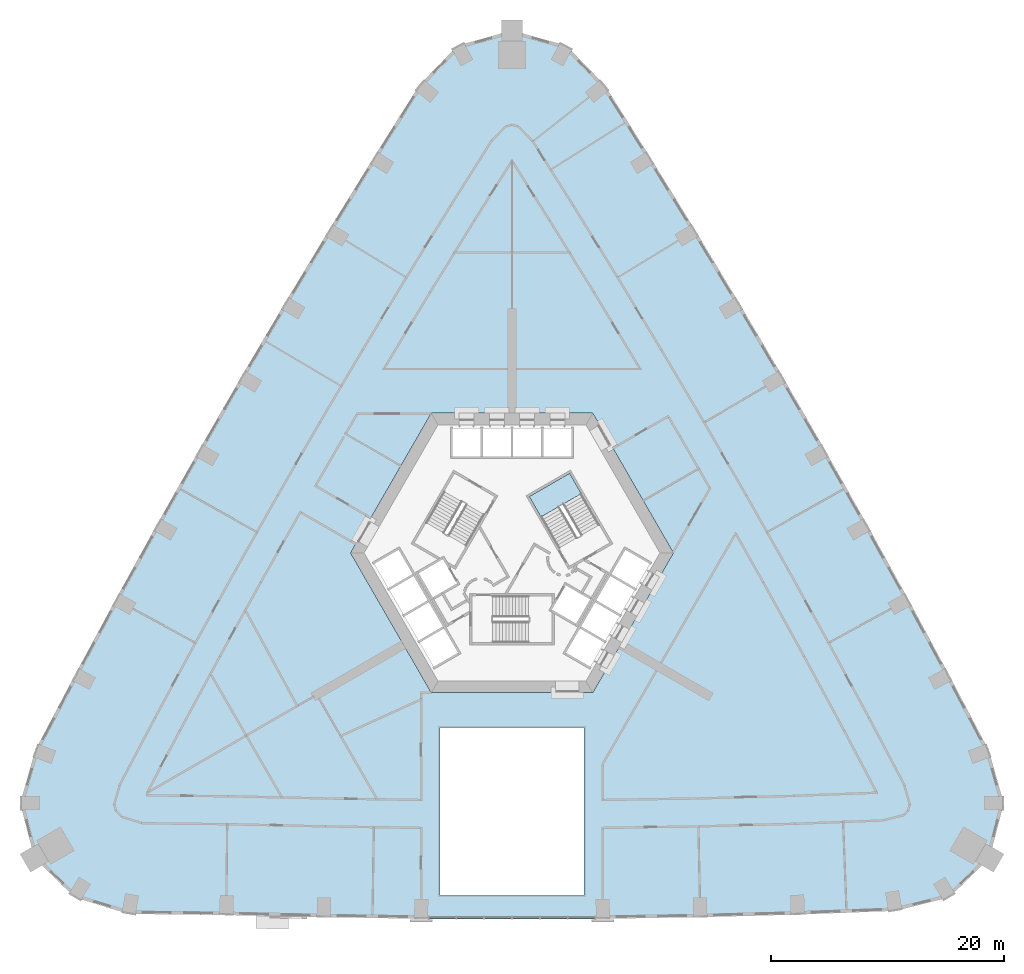
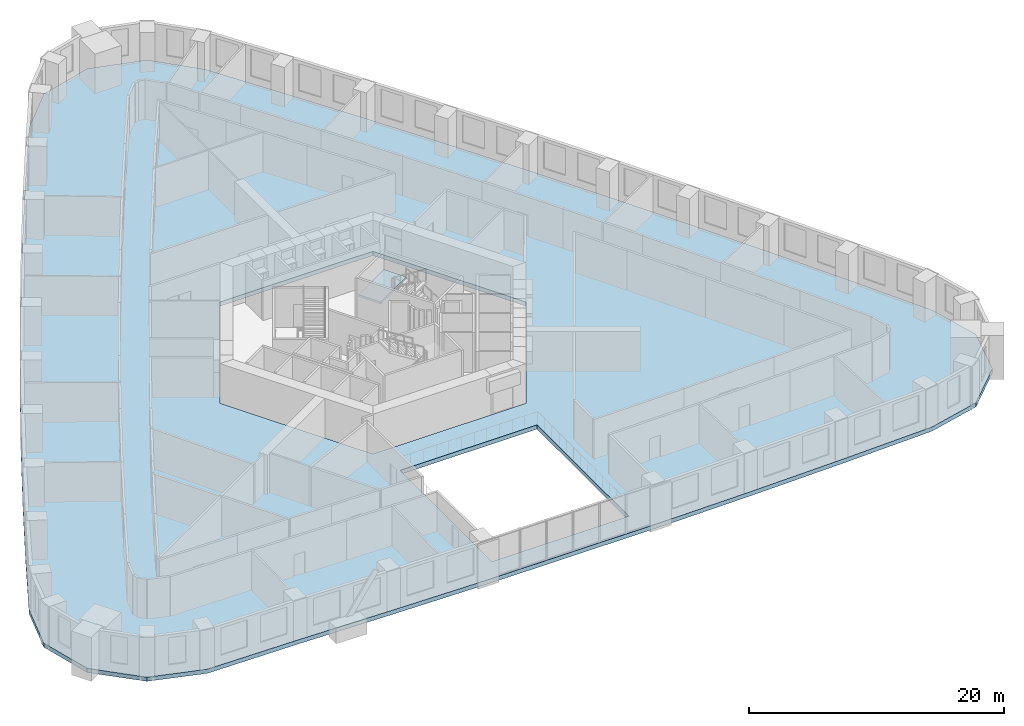
# One storey, part 3 of 13: 2 slabs, 1 element without a shape of its own.
"""IFC4 building model written with IfcOpenShell, lengths in metres."""

from ifc_helpers import new_model, si_unit, direction, frame, origin, place, context, subcontext, project, spatial, polyline, outline, extrude, material, layer, layer_set, type_object, element, aggregate, save


model = new_model("IFC4")

# Units and contexts
model_context = context("Model", 3, precision=1e-05, world=origin(), true_north=direction((0.0, 1.0)))
body_context = subcontext(model_context, "Body", "Model", "MODEL_VIEW")
ifc_project = project(units=[si_unit("LENGTHUNIT", "METRE"), si_unit("AREAUNIT", "SQUARE_METRE"), si_unit("VOLUMEUNIT", "CUBIC_METRE"), si_unit("PLANEANGLEUNIT", "RADIAN"), si_unit("MASSUNIT", "GRAM", prefix="KILO")], contexts=[model_context])

# Site, building, storey
site_placement = place(None, origin())
site = spatial("IfcSite", under=ifc_project, at=site_placement, CompositionType="ELEMENT")
building_placement = place(site_placement, origin())
building = spatial("IfcBuilding", under=site, at=building_placement, Name="Entoto Arch Interchange Tower", CompositionType="ELEMENT")
storey_placement = place(building_placement, frame((0.0, 0.0, 51.800048828125)))
storey = spatial("IfcBuildingStorey", under=building, at=storey_placement, Name="L10", CompositionType="ELEMENT", Elevation=51.800048828125)

# Stair, slab
ifc_material = material(Name="Concrete C40/50", Category="concrete")
stair_type = type_object("IfcStairType", Name="EXIT STAIR RC 1800", PredefinedType="HALF_TURN_STAIR", material=ifc_material)
stair_placement = place(storey_placement, origin())
stair = element("IfcStair", 1, at=stair_placement, inside=storey, type_object=stair_type, Name="L10 Exit stair NE", PredefinedType="HALF_TURN_STAIR")
ifc_layer_1 = layer(ifc_material, 0.199951171875)
ifc_layer_set_1 = layer_set([ifc_layer_1], Name="Concrete C40/50")
slab_type_1 = type_object("IfcSlabType", Name="EXIT STAIR LANDING RC 200", PredefinedType="LANDING", material=ifc_layer_set_1)
slab_1_placement = place(storey_placement, frame((0.0, 0.0, 1.89990234375)))
slab_1 = element("IfcSlab", 2, at=slab_1_placement, type_object=slab_type_1, Name="ST-NE landing 1", PredefinedType="LANDING", context=body_context, shape_type="SweptSolid", body=[
    extrude(outline(polyline([(5.953369140625, 7.58837890625), (4.943359375, 9.337890625), (1.479248046875, 7.337890625), (2.4892578125, 5.58837890625), (5.953369140625, 7.58837890625)])), origin(), (0.0, 0.0, 1.0), 0.199951171875),
])
aggregate(stair, [slab_1])

# Slab
ifc_layer_2 = layer(ifc_material, 0.39990234375)
ifc_layer_set_2 = layer_set([ifc_layer_2], Name="Concrete C40/50")
slab_type_2 = type_object("IfcSlabType", Name="Post-tensioned flat plate 400 C40/50", PredefinedType="FLOOR", material=ifc_layer_set_2)
slab_2_placement = place(storey_placement, frame((0.0, 0.0, -0.400146484375)))
element("IfcSlab", 3, at=slab_2_placement, inside=storey, type_object=slab_type_2, Name="Floor slab L10", PredefinedType="FLOOR", context=body_context, shape_type="SweptSolid", body=[
    extrude(outline(polyline([(-32.910888671875, -28.49609375), (-24.5400390625, -28.589111328125), (-16.169921875, -28.777099609375), (-7.800048828125, -28.909912109375), (7.800048828125, -28.909912109375), (16.169921875, -28.777099609375), (24.5400390625, -28.551025390625), (32.910888671875, -28.23193359375), (37.554931640625, -27.075927734375), (41.012939453125, -23.678955078125), (42.22607421875, -18.986083984375), (40.94091796875, -14.45703125), (37.5029296875, -7.927001953125), (34.028076171875, -1.48291015625), (30.491943359375, 4.925048828125), (26.89404296875, 11.301025390625), (23.23388671875, 17.639892578125), (19.511962890625, 23.944091796875), (15.72900390625, 30.2119140625), (11.885986328125, 36.44189453125), (7.950927734375, 42.68505859375), (4.669921875, 46.06103515625), (0.0, 47.35791015625), (-4.669921875, 46.06103515625), (-7.950927734375, 42.68505859375), (-11.885986328125, 36.44189453125), (-15.72900390625, 30.2119140625), (-19.511962890625, 23.944091796875), (-23.23388671875, 17.639892578125), (-26.89404296875, 11.301025390625), (-30.491943359375, 4.925048828125), (-34.028076171875, -1.48291015625), (-37.5029296875, -7.927001953125), (-40.94091796875, -14.45703125), (-42.22607421875, -18.986083984375), (-41.012939453125, -23.678955078125), (-37.554931640625, -27.075927734375), (-32.910888671875, -28.49609375)]), holes=[polyline([(6.199951171875, -26.909912109375), (6.199951171875, -12.5), (-6.199951171875, -12.5), (-6.199951171875, -26.909912109375), (6.199951171875, -26.909912109375)]), polyline([(13.85595703125, 2.5), (6.927978515625, 14.5), (-6.927978515625, 14.5), (-13.85595703125, 2.5), (-6.927978515625, -9.5), (6.927978515625, -9.5), (13.85595703125, 2.5)])]), origin(), (0.0, 0.0, 1.0), 0.400146484375),
])

save(model, "model.ifc")
